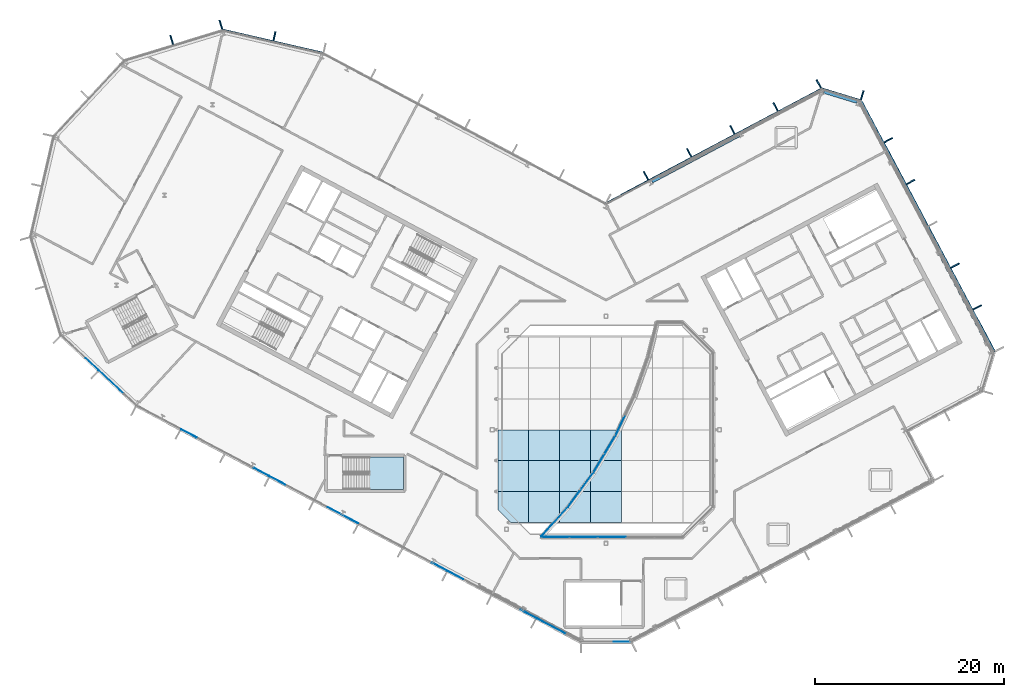
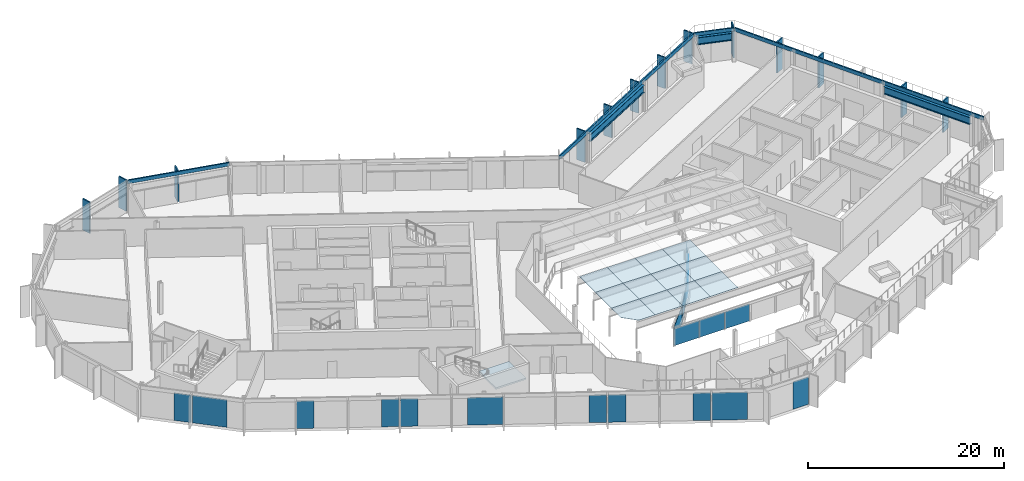
# One storey, part 19 of 35: 32 plates, 17 members, 3 beams, 1 slab, 15 elements without a shape of their own.
"""IFC4 building model written with IfcOpenShell, lengths in metres."""

from ifc_helpers import new_model, si_unit, direction, frame, origin, origin_2d, place, context, subcontext, project, spatial, polyline, rectangle, i_section, outline, extrude, material, layer, layer_set, material_profile, profile_set, type_object, element, aggregate, save


model = new_model("IFC4")

# Units and contexts
model_context = context("Model", 3, precision=1e-05, world=origin(), true_north=direction((0.0, 1.0)))
body_context = subcontext(model_context, "Body", "Model", "MODEL_VIEW")
ifc_project = project(units=[si_unit("LENGTHUNIT", "METRE"), si_unit("AREAUNIT", "SQUARE_METRE"), si_unit("VOLUMEUNIT", "CUBIC_METRE"), si_unit("PLANEANGLEUNIT", "RADIAN"), si_unit("MASSUNIT", "GRAM", prefix="KILO")], contexts=[model_context])

# Site, building, storey
site_placement = place(None, origin())
site = spatial("IfcSite", under=ifc_project, at=site_placement, CompositionType="ELEMENT")
building_placement = place(site_placement, origin())
building = spatial("IfcBuilding", under=site, at=building_placement, Name="Cormorant Relay Tower", CompositionType="ELEMENT")
storey_placement = place(building_placement, frame((0.0, 0.0, 324.300048828125)))
storey = spatial("IfcBuildingStorey", under=building, at=storey_placement, Name="L74", CompositionType="ELEMENT", Elevation=324.300048828125)

# Curtain wall, members
ifc_material_1 = material(Name="Aluminium 6063-T6 anodised bronze", Category="aluminium")
ifc_layer_1 = layer(ifc_material_1, 0.199951171875)
ifc_layer_set_1 = layer_set([ifc_layer_1], Name="CW1 unitised bronze curtain wall with vertical fins")
curtain_wall_type_1 = type_object("IfcCurtainWallType", Name="CW1 unitised bronze curtain wall with vertical fins", PredefinedType="NOTDEFINED", material=ifc_layer_set_1)
curtain_wall_1_placement = place(storey_placement, origin())
curtain_wall_1 = element("IfcCurtainWall", 1, at=curtain_wall_1_placement, inside=storey, type_object=curtain_wall_type_1, Name="CW1 curtain wall 6", PredefinedType="NOTDEFINED")
ifc_material_2 = material(Name="Aluminium 6063-T6 anodised bronze", Category="aluminium")
ifc_material_profile_1 = material_profile(ifc_material_2, rectangle(XDim=0.14990234375, YDim=1.0, at=origin_2d()), Name="AL 150x1000")
ifc_profile_set_1 = profile_set([ifc_material_profile_1], Name="Aluminium 6063-T6 anodised bronze")
member_type_1 = type_object("IfcMemberType", Name="CW1 bronze fin mullion 150 x 1000", PredefinedType="MULLION", material=ifc_profile_set_1)
member_1_placement = place(storey_placement, frame((39.222412109375, 12.927001953125, 0.0), z_axis=(0.0, 0.0, 1.0), x_axis=(-0.469471562786, 0.882947592859, 0.0)))
member_1 = element("IfcMember", 2, at=member_1_placement, type_object=member_type_1, Name="CW1 fin 6.2", PredefinedType="MULLION", context=body_context, shape_type="SweptSolid", body=[
    extrude(rectangle(XDim=0.14990234375, YDim=1.0, at=origin_2d()), origin(), (0.0, 0.0, 1.0), 3.89990234375),
])
member_2_placement = place(storey_placement, frame((36.875, 17.341552734375, 0.0), z_axis=(0.0, 0.0, 1.0), x_axis=(-0.469471562786, 0.882947592859, 0.0)))
member_2 = element("IfcMember", 3, at=member_2_placement, type_object=member_type_1, Name="CW1 fin 6.3", PredefinedType="MULLION", context=body_context, shape_type="SweptSolid", body=[
    extrude(rectangle(XDim=0.14990234375, YDim=1.0, at=origin_2d()), origin(), (0.0, 0.0, 1.0), 3.89990234375),
])
member_3_placement = place(storey_placement, frame((32.18017578125, 26.171142578125, 0.0), z_axis=(0.0, 0.0, 1.0), x_axis=(-0.469471562786, 0.882947592859, 0.0)))
member_3 = element("IfcMember", 4, at=member_3_placement, type_object=member_type_1, Name="CW1 fin 6.5", PredefinedType="MULLION", context=body_context, shape_type="SweptSolid", body=[
    extrude(rectangle(XDim=0.14990234375, YDim=1.0, at=origin_2d()), origin(), (0.0, 0.0, 1.0), 3.89990234375),
])
member_4_placement = place(storey_placement, frame((29.832763671875, 30.585693359375, 0.0), z_axis=(0.0, 0.0, 1.0), x_axis=(-0.469471562786, 0.882947592859, 0.0)))
member_4 = element("IfcMember", 5, at=member_4_placement, type_object=member_type_1, Name="CW1 fin 6.6", PredefinedType="MULLION", context=body_context, shape_type="SweptSolid", body=[
    extrude(rectangle(XDim=0.14990234375, YDim=1.0, at=origin_2d()), origin(), (0.0, 0.0, 1.0), 3.89990234375),
])

# Curtain wall, member
curtain_wall_2_placement = place(storey_placement, origin())
curtain_wall_2 = element("IfcCurtainWall", 6, at=curtain_wall_2_placement, inside=storey, type_object=curtain_wall_type_1, Name="CW1 curtain wall 7", PredefinedType="NOTDEFINED")
member_5_placement = place(storey_placement, frame((27.072021484375, 35.34130859375, 0.0), z_axis=(0.0, 0.0, 1.0), x_axis=(-0.956304755963, 0.292371704723, 0.0)))
member_5 = element("IfcMember", 7, at=member_5_placement, type_object=member_type_1, Name="CW1 fin 7.1", PredefinedType="MULLION", context=body_context, shape_type="SweptSolid", body=[
    extrude(rectangle(XDim=0.14990234375, YDim=1.0, at=origin_2d()), origin(), (0.0, 0.0, 1.0), 3.89990234375),
])

# Curtain wall, members
curtain_wall_3_placement = place(storey_placement, origin())
curtain_wall_3 = element("IfcCurtainWall", 8, at=curtain_wall_3_placement, inside=storey, type_object=curtain_wall_type_1, Name="CW1 curtain wall 8", PredefinedType="NOTDEFINED")
member_6_placement = place(storey_placement, frame((22.4814453125, 36.530517578125, 0.0), z_axis=(0.0, 0.0, 1.0), x_axis=(-0.882947592859, -0.469471562786, 0.0)))
member_6 = element("IfcMember", 9, at=member_6_placement, type_object=member_type_1, Name="CW1 fin 8.1", PredefinedType="MULLION", context=body_context, shape_type="SweptSolid", body=[
    extrude(rectangle(XDim=0.14990234375, YDim=1.0, at=origin_2d()), origin(), (0.0, 0.0, 1.0), 3.89990234375),
])
member_7_placement = place(storey_placement, frame((17.91943359375, 34.104736328125, 0.0), z_axis=(0.0, 0.0, 1.0), x_axis=(-0.882947592859, -0.469471562786, 0.0)))
member_7 = element("IfcMember", 10, at=member_7_placement, type_object=member_type_1, Name="CW1 fin 8.2", PredefinedType="MULLION", context=body_context, shape_type="SweptSolid", body=[
    extrude(rectangle(XDim=0.14990234375, YDim=1.0, at=origin_2d()), origin(), (0.0, 0.0, 1.0), 3.89990234375),
])
member_8_placement = place(storey_placement, frame((13.357421875, 31.67919921875, 0.0), z_axis=(0.0, 0.0, 1.0), x_axis=(-0.882947592859, -0.469471562786, 0.0)))
member_8 = element("IfcMember", 11, at=member_8_placement, type_object=member_type_1, Name="CW1 fin 8.3", PredefinedType="MULLION", context=body_context, shape_type="SweptSolid", body=[
    extrude(rectangle(XDim=0.14990234375, YDim=1.0, at=origin_2d()), origin(), (0.0, 0.0, 1.0), 3.89990234375),
])
member_9_placement = place(storey_placement, frame((8.79541015625, 29.25341796875, 0.0), z_axis=(0.0, 0.0, 1.0), x_axis=(-0.882947592859, -0.469471562786, 0.0)))
member_9 = element("IfcMember", 12, at=member_9_placement, type_object=member_type_1, Name="CW1 fin 8.4", PredefinedType="MULLION", context=body_context, shape_type="SweptSolid", body=[
    extrude(rectangle(XDim=0.14990234375, YDim=1.0, at=origin_2d()), origin(), (0.0, 0.0, 1.0), 3.89990234375),
])
member_10_placement = place(storey_placement, frame((4.2333984375, 26.82763671875, 0.0), z_axis=(0.0, 0.0, 1.0), x_axis=(-0.882947592859, -0.469471562786, 0.0)))
member_10 = element("IfcMember", 13, at=member_10_placement, type_object=member_type_1, Name="CW1 fin 8.5", PredefinedType="MULLION", context=body_context, shape_type="SweptSolid", body=[
    extrude(rectangle(XDim=0.14990234375, YDim=1.0, at=origin_2d()), origin(), (0.0, 0.0, 1.0), 3.89990234375),
])

# Curtain wall, member
curtain_wall_4_placement = place(storey_placement, origin())
curtain_wall_4 = element("IfcCurtainWall", 14, at=curtain_wall_4_placement, inside=storey, type_object=curtain_wall_type_1, Name="CW1 curtain wall 10", PredefinedType="NOTDEFINED")
member_11_placement = place(storey_placement, frame((-35.01220703125, 41.57275390625, 0.0), z_axis=(0.0, 0.0, 1.0), x_axis=(-0.974370064785, 0.224951054344, 0.0)))
member_11 = element("IfcMember", 15, at=member_11_placement, type_object=member_type_1, Name="CW1 fin 10.2", PredefinedType="MULLION", context=body_context, shape_type="SweptSolid", body=[
    extrude(rectangle(XDim=0.14990234375, YDim=1.0, at=origin_2d()), origin(), (0.0, 0.0, 1.0), 3.89990234375),
])

# Curtain wall, members
curtain_wall_5_placement = place(storey_placement, origin())
curtain_wall_5 = element("IfcCurtainWall", 16, at=curtain_wall_5_placement, inside=storey, type_object=curtain_wall_type_1, Name="CW1 curtain wall 11", PredefinedType="NOTDEFINED")
member_12_placement = place(storey_placement, frame((-40.670166015625, 42.78271484375, 0.0), z_axis=(0.0, 0.0, 1.0), x_axis=(-0.956304755963, -0.292371704723, 0.0)))
member_12 = element("IfcMember", 17, at=member_12_placement, type_object=member_type_1, Name="CW1 fin 11.1", PredefinedType="MULLION", context=body_context, shape_type="SweptSolid", body=[
    extrude(rectangle(XDim=0.14990234375, YDim=1.0, at=origin_2d()), origin(), (0.0, 0.0, 1.0), 3.89990234375),
])
member_13_placement = place(storey_placement, frame((-45.867919921875, 41.193603515625, 0.0), z_axis=(0.0, 0.0, 1.0), x_axis=(-0.956304755963, -0.292371704723, 0.0)))
member_13 = element("IfcMember", 18, at=member_13_placement, type_object=member_type_1, Name="CW1 fin 11.2", PredefinedType="MULLION", context=body_context, shape_type="SweptSolid", body=[
    extrude(rectangle(XDim=0.14990234375, YDim=1.0, at=origin_2d()), origin(), (0.0, 0.0, 1.0), 3.89990234375),
])
aggregate(curtain_wall_5, [member_12, member_13])

# Member
ifc_material_3 = material(Name="Aluminium 6063-T6 anodised bronze", Category="aluminium")
ifc_material_profile_2 = material_profile(ifc_material_3, rectangle(XDim=0.159912109375, YDim=0.449951171875, at=origin_2d()), Name="AL 160x450")
ifc_profile_set_2 = profile_set([ifc_material_profile_2], Name="Aluminium 6063-T6 anodised bronze")
member_type_2 = type_object("IfcMemberType", Name="CW1 bronze transom 160 x 450", PredefinedType="USERDEFINED", material=ifc_profile_set_2)
member_14_placement = place(storey_placement, frame((41.0576171875, 8.23974609375, 3.675048828125), z_axis=(-0.469472335483, 0.882947182008, 0.0), x_axis=(-0.882947182008, -0.469472335483, 0.0)))
member_14 = element("IfcMember", 19, at=member_14_placement, type_object=member_type_2, Name="CW1 transom 6", ObjectType="TRANSOM", PredefinedType="USERDEFINED", context=body_context, shape_type="SweptSolid", body=[
    extrude(rectangle(XDim=0.159912109375, YDim=0.449951171875, at=origin_2d()), origin(), (0.0, 0.0, 1.0), 30.000244140625),
])

aggregate(curtain_wall_1, [member_1, member_2, member_3, member_4, member_14])

member_15_placement = place(storey_placement, frame((26.902587890625, 34.78662109375, 3.675048828125), z_axis=(-0.956303761594, 0.292374957137, 0.0), x_axis=(-0.292374957137, -0.956303761594, 0.0)))
member_15 = element("IfcMember", 20, at=member_15_placement, type_object=member_type_2, Name="CW1 transom 7", ObjectType="TRANSOM", PredefinedType="USERDEFINED", context=body_context, shape_type="SweptSolid", body=[
    extrude(rectangle(XDim=0.159912109375, YDim=0.449951171875, at=origin_2d()), origin(), (0.0, 0.0, 1.0), 4.24267578125),
])

aggregate(curtain_wall_2, [member_5, member_15])

member_16_placement = place(storey_placement, frame((22.75390625, 36.018310546875, 3.675048828125), z_axis=(-0.882948156597, -0.469470502547, 0.0), x_axis=(0.469470502547, -0.882948156597, 0.0)))
member_16 = element("IfcMember", 21, at=member_16_placement, type_object=member_type_2, Name="CW1 transom 8", ObjectType="TRANSOM", PredefinedType="USERDEFINED", context=body_context, shape_type="SweptSolid", body=[
    extrude(rectangle(XDim=0.159912109375, YDim=0.449951171875, at=origin_2d()), origin(), (0.0, 0.0, 1.0), 25.834228515625),
])

aggregate(curtain_wall_3, [member_6, member_7, member_8, member_9, member_10, member_16])

member_17_placement = place(storey_placement, frame((-29.8466796875, 39.784912109375, 3.675048828125), z_axis=(-0.974365070969, 0.224972683844, 0.0), x_axis=(-0.224972683844, -0.974365070969, 0.0)))
member_17 = element("IfcMember", 22, at=member_17_placement, type_object=member_type_2, Name="CW1 transom 10", ObjectType="TRANSOM", PredefinedType="USERDEFINED", context=body_context, shape_type="SweptSolid", body=[
    extrude(rectangle(XDim=0.159912109375, YDim=0.449951171875, at=origin_2d()), origin(), (0.0, 0.0, 1.0), 10.870361328125),
])

aggregate(curtain_wall_4, [member_11, member_17])

# Beams
ifc_material_4 = material(Name="Steel ASTM A992 (Fy 345 MPa)", Category="steel")
ifc_material_profile_3 = material_profile(ifc_material_4, i_section(OverallWidth=0.307373046875, OverallDepth=0.927001953125, WebThickness=0.019287109375, FlangeThickness=0.031982421875, FilletRadius=0.01904296875, at=origin_2d()), Name="W920x289")
ifc_profile_set_3 = profile_set([ifc_material_profile_3], Name="Steel ASTM A992 (Fy 345 MPa)")
beam_type = type_object("IfcBeamType", Name="Spandrel W920x289", PredefinedType="SPANDREL", material=ifc_profile_set_3)
beam_1_placement = place(storey_placement, frame((40.1591796875, 9.3466796875, 3.0361328125), z_axis=(-0.469474391681, 0.882946088703, 0.0), x_axis=(-0.882946088703, -0.469474391681, 0.0)))
element("IfcBeam", 23, at=beam_1_placement, inside=storey, type_object=beam_type, Name="Spandrel beam L74-006", PredefinedType="SPANDREL", context=body_context, shape_type="SweptSolid", body=[
    extrude(i_section(OverallWidth=0.307373046875, OverallDepth=0.927001953125, WebThickness=0.019287109375, FlangeThickness=0.031982421875, FilletRadius=0.01904296875, at=origin_2d()), origin(), (0.0, 0.0, 1.0), 10.401611328125),
])
beam_2_placement = place(storey_placement, frame((26.512451171875, 34.619873046875, 3.0361328125), z_axis=(-0.956313678807, 0.292342517821, 0.0), x_axis=(-0.292342517821, -0.956313678807, 0.0)))
element("IfcBeam", 24, at=beam_2_placement, inside=storey, type_object=beam_type, Name="Spandrel beam L74-007", PredefinedType="SPANDREL", context=body_context, shape_type="SweptSolid", body=[
    extrude(i_section(OverallWidth=0.307373046875, OverallDepth=0.927001953125, WebThickness=0.019287109375, FlangeThickness=0.031982421875, FilletRadius=0.01904296875, at=origin_2d()), origin(), (0.0, 0.0, 1.0), 3.65185546875),
])
beam_3_placement = place(storey_placement, frame((14.05322265625, 31.082275390625, 3.0361328125), z_axis=(-0.882950644937, -0.469465822617, 0.0), x_axis=(0.469465822617, -0.882950644937, 0.0)))
element("IfcBeam", 25, at=beam_3_placement, inside=storey, type_object=beam_type, Name="Spandrel beam L74-008", PredefinedType="SPANDREL", context=body_context, shape_type="SweptSolid", body=[
    extrude(i_section(OverallWidth=0.307373046875, OverallDepth=0.927001953125, WebThickness=0.019287109375, FlangeThickness=0.031982421875, FilletRadius=0.01904296875, at=origin_2d()), origin(), (0.0, 0.0, 1.0), 10.4013671875),
])

# Curtain wall, plate
curtain_wall_6_placement = place(storey_placement, origin())
curtain_wall_6 = element("IfcCurtainWall", 26, at=curtain_wall_6_placement, inside=storey, type_object=curtain_wall_type_1, Name="CW1 curtain wall 1", PredefinedType="NOTDEFINED")
ifc_material_5 = material(Name="Tinted laminated glass", Category="glass")
ifc_layer_2 = layer(ifc_material_5, 0.0400390625)
ifc_layer_set_2 = layer_set([ifc_layer_2], Name="CW1 tinted vision panel 1800 module")
plate_type_1 = type_object("IfcPlateType", Name="CW1 tinted vision panel 1800 module", PredefinedType="CURTAIN_PANEL", material=ifc_layer_set_2)
plate_1_placement = place(storey_placement, frame((1.748779296875, -22.3955078125, 0.0), z_axis=(0.0, 0.0, 1.0), x_axis=(1.0, 0.0, 0.0)))
plate_1 = element("IfcPlate", 27, at=plate_1_placement, type_object=plate_type_1, Name="CW1 panel V01", PredefinedType="CURTAIN_PANEL", context=body_context, shape_type="SweptSolid", body=[
    extrude(rectangle(XDim=1.800048828125, YDim=0.0400390625, at=origin_2d()), origin(), (0.0, 0.0, 1.0), 3.449951171875),
])
aggregate(curtain_wall_6, [plate_1])

curtain_wall_7_placement = place(storey_placement, origin())
curtain_wall_7 = element("IfcCurtainWall", 28, at=curtain_wall_7_placement, inside=storey, type_object=curtain_wall_type_1, Name="CW1 curtain wall 15", PredefinedType="NOTDEFINED")
plate_2_placement = place(storey_placement, frame((-54.293212890625, 6.94140625, 0.0), z_axis=(0.0, 0.0, 1.0), x_axis=(0.731353701619, -0.681998360062, 0.0)))
plate_2 = element("IfcPlate", 29, at=plate_2_placement, type_object=plate_type_1, Name="CW1 panel V01", PredefinedType="CURTAIN_PANEL", context=body_context, shape_type="SweptSolid", body=[
    extrude(rectangle(XDim=1.800048828125, YDim=0.0400390625, at=origin_2d()), origin(), (0.0, 0.0, 1.0), 3.449951171875),
])

# Curtain wall, plates
curtain_wall_8_placement = place(storey_placement, origin())
curtain_wall_8 = element("IfcCurtainWall", 30, at=curtain_wall_8_placement, inside=storey, type_object=curtain_wall_type_1, Name="CW1 curtain wall 16", PredefinedType="NOTDEFINED")
plate_3_placement = place(storey_placement, frame((-44.0458984375, -0.38720703125, 0.0), z_axis=(0.0, 0.0, 1.0), x_axis=(0.882947592859, -0.469471562786, 0.0)))
plate_3 = element("IfcPlate", 31, at=plate_3_placement, type_object=plate_type_1, Name="CW1 panel V01", PredefinedType="CURTAIN_PANEL", context=body_context, shape_type="SweptSolid", body=[
    extrude(rectangle(XDim=1.800048828125, YDim=0.0400390625, at=origin_2d()), origin(), (0.0, 0.0, 1.0), 3.449951171875),
])
plate_4_placement = place(storey_placement, frame((-36.37890625, -4.463623046875, 0.0), z_axis=(0.0, 0.0, 1.0), x_axis=(0.882947592859, -0.469471562786, 0.0)))
plate_4 = element("IfcPlate", 32, at=plate_4_placement, type_object=plate_type_1, Name="CW1 panel V03", PredefinedType="CURTAIN_PANEL", context=body_context, shape_type="SweptSolid", body=[
    extrude(rectangle(XDim=1.800048828125, YDim=0.0400390625, at=origin_2d()), origin(), (0.0, 0.0, 1.0), 3.449951171875),
])
plate_5_placement = place(storey_placement, frame((-34.6572265625, -5.37890625, 0.0), z_axis=(0.0, 0.0, 1.0), x_axis=(0.882947592859, -0.469471562786, 0.0)))
plate_5 = element("IfcPlate", 33, at=plate_5_placement, type_object=plate_type_1, Name="CW1 panel V04", PredefinedType="CURTAIN_PANEL", context=body_context, shape_type="SweptSolid", body=[
    extrude(rectangle(XDim=1.800048828125, YDim=0.0400390625, at=origin_2d()), origin(), (0.0, 0.0, 1.0), 3.449951171875),
])
plate_6_placement = place(storey_placement, frame((-17.601806640625, -14.447509765625, 0.0), z_axis=(0.0, 0.0, 1.0), x_axis=(0.882947592859, -0.469471562786, 0.0)))
plate_6 = element("IfcPlate", 34, at=plate_6_placement, type_object=plate_type_1, Name="CW1 panel V08", PredefinedType="CURTAIN_PANEL", context=body_context, shape_type="SweptSolid", body=[
    extrude(rectangle(XDim=1.800048828125, YDim=0.0400390625, at=origin_2d()), origin(), (0.0, 0.0, 1.0), 3.449951171875),
])
plate_7_placement = place(storey_placement, frame((-15.880126953125, -15.363037109375, 0.0), z_axis=(0.0, 0.0, 1.0), x_axis=(0.882947592859, -0.469471562786, 0.0)))
plate_7 = element("IfcPlate", 35, at=plate_7_placement, type_object=plate_type_1, Name="CW1 panel V09", PredefinedType="CURTAIN_PANEL", context=body_context, shape_type="SweptSolid", body=[
    extrude(rectangle(XDim=1.800048828125, YDim=0.0400390625, at=origin_2d()), origin(), (0.0, 0.0, 1.0), 3.449951171875),
])
plate_8_placement = place(storey_placement, frame((-8.21337890625, -19.439453125, 0.0), z_axis=(0.0, 0.0, 1.0), x_axis=(0.882947592859, -0.469471562786, 0.0)))
plate_8 = element("IfcPlate", 36, at=plate_8_placement, type_object=plate_type_1, Name="CW1 panel V11", PredefinedType="CURTAIN_PANEL", context=body_context, shape_type="SweptSolid", body=[
    extrude(rectangle(XDim=1.800048828125, YDim=0.0400390625, at=origin_2d()), origin(), (0.0, 0.0, 1.0), 3.449951171875),
])

# Plate
ifc_material_6 = material(Name="Tinted laminated glass", Category="glass")
ifc_layer_3 = layer(ifc_material_6, 0.0400390625)
ifc_layer_set_3 = layer_set([ifc_layer_3], Name="CW1 tinted vision panel 3600 module")
plate_type_2 = type_object("IfcPlateType", Name="CW1 tinted vision panel 3600 module", PredefinedType="CURTAIN_PANEL", material=ifc_layer_set_3)
plate_9_placement = place(storey_placement, frame((-52.208984375, 4.997802734375, 0.0), z_axis=(0.0, 0.0, 1.0), x_axis=(0.731353701619, -0.681998360062, 0.0)))
plate_9 = element("IfcPlate", 37, at=plate_9_placement, type_object=plate_type_2, Name="CW1 panel V02", PredefinedType="CURTAIN_PANEL", context=body_context, shape_type="SweptSolid", body=[
    extrude(rectangle(XDim=3.60009765625, YDim=0.0400390625, at=origin_2d()), origin(), (0.0, 0.0, 1.0), 3.449951171875),
])

aggregate(curtain_wall_7, [plate_2, plate_9])

plate_10_placement = place(storey_placement, frame((-27.78515625, -9.032958984375, 0.0), z_axis=(0.0, 0.0, 1.0), x_axis=(0.882947592859, -0.469471562786, 0.0)))
plate_10 = element("IfcPlate", 38, at=plate_10_placement, type_object=plate_type_2, Name="CW1 panel V06", PredefinedType="CURTAIN_PANEL", context=body_context, shape_type="SweptSolid", body=[
    extrude(rectangle(XDim=3.60009765625, YDim=0.0400390625, at=origin_2d()), origin(), (0.0, 0.0, 1.0), 3.449951171875),
])

plate_11_placement = place(storey_placement, frame((-5.697021484375, -20.777587890625, 0.0), z_axis=(0.0, 0.0, 1.0), x_axis=(0.882947592859, -0.469471562786, 0.0)))
plate_11 = element("IfcPlate", 39, at=plate_11_placement, type_object=plate_type_2, Name="CW1 panel V12", PredefinedType="CURTAIN_PANEL", context=body_context, shape_type="SweptSolid", body=[
    extrude(rectangle(XDim=3.60009765625, YDim=0.0400390625, at=origin_2d()), origin(), (0.0, 0.0, 1.0), 3.449951171875),
])

aggregate(curtain_wall_8, [plate_3, plate_4, plate_5, plate_10, plate_6, plate_7, plate_8, plate_11])

# Curtain wall, plate
ifc_material_7 = material(Name="Aluminium 6063-T6 anodised bronze", Category="aluminium")
ifc_layer_4 = layer(ifc_material_7, 0.199951171875)
ifc_layer_set_4 = layer_set([ifc_layer_4], Name="CW5 atrium lantern curtain wall")
curtain_wall_type_2 = type_object("IfcCurtainWallType", Name="CW5 atrium lantern curtain wall", PredefinedType="NOTDEFINED", material=ifc_layer_set_4)
curtain_wall_9_placement = place(storey_placement, origin())
curtain_wall_9 = element("IfcCurtainWall", 40, at=curtain_wall_9_placement, inside=storey, type_object=curtain_wall_type_2, Name="CW5 atrium lantern wall 3", PredefinedType="NOTDEFINED")
ifc_material_8 = material(Name="Clear laminated glass", Category="glass")
ifc_layer_5 = layer(ifc_material_8, 0.0400390625)
ifc_layer_set_5 = layer_set([ifc_layer_5], Name="CW5 clear laminated glass panel 40")
plate_type_3 = type_object("IfcPlateType", Name="CW5 clear laminated glass panel 40", PredefinedType="CURTAIN_PANEL", material=ifc_layer_set_5)
plate_12_placement = place(storey_placement, frame((1.47900390625, 0.380859375, 3.89990234375), z_axis=(0.0, 0.0, 1.0), x_axis=(-0.42755509343, -0.903989293123, 0.0)))
plate_12 = element("IfcPlate", 41, at=plate_12_placement, type_object=plate_type_3, Name="CW5 panel 3.2", PredefinedType="CURTAIN_PANEL", context=body_context, shape_type="SweptSolid", body=[
    extrude(rectangle(XDim=2.206787109375, YDim=0.0400390625, at=origin_2d()), origin(), (0.0, 0.0, 1.0), 2.14990234375),
])
aggregate(curtain_wall_9, [plate_12])

# Curtain wall, plates
curtain_wall_10_placement = place(storey_placement, origin())
curtain_wall_10 = element("IfcCurtainWall", 42, at=curtain_wall_10_placement, inside=storey, type_object=curtain_wall_type_2, Name="CW5 atrium lantern wall 4", PredefinedType="NOTDEFINED")
plate_13_placement = place(storey_placement, frame((0.41259765625, -1.6142578125, 3.89990234375), z_axis=(0.0, 0.0, 1.0), x_axis=(-0.514102744193, -0.85772861, 0.0)))
plate_13 = element("IfcPlate", 43, at=plate_13_placement, type_object=plate_type_3, Name="CW5 panel 4.1", PredefinedType="CURTAIN_PANEL", context=body_context, shape_type="SweptSolid", body=[
    extrude(rectangle(XDim=2.206787109375, YDim=0.0400390625, at=origin_2d()), origin(), (0.0, 0.0, 1.0), 2.14990234375),
])
plate_14_placement = place(storey_placement, frame((-0.7529296875, -3.558837890625, 3.89990234375), z_axis=(0.0, 0.0, 1.0), x_axis=(-0.514102744193, -0.85772861, 0.0)))
plate_14 = element("IfcPlate", 44, at=plate_14_placement, type_object=plate_type_3, Name="CW5 panel 4.2", PredefinedType="CURTAIN_PANEL", context=body_context, shape_type="SweptSolid", body=[
    extrude(rectangle(XDim=2.206787109375, YDim=0.0400390625, at=origin_2d()), origin(), (0.0, 0.0, 1.0), 2.14990234375),
])
aggregate(curtain_wall_10, [plate_13, plate_14])

curtain_wall_11_placement = place(storey_placement, origin())
curtain_wall_11 = element("IfcCurtainWall", 45, at=curtain_wall_11_placement, inside=storey, type_object=curtain_wall_type_2, Name="CW5 atrium lantern wall 5", PredefinedType="NOTDEFINED")
plate_15_placement = place(storey_placement, frame((-2.009765625, -5.439697265625, 3.89990234375), z_axis=(0.0, 0.0, 1.0), x_axis=(-0.595699304492, -0.803207531481, 0.0)))
plate_15 = element("IfcPlate", 46, at=plate_15_placement, type_object=plate_type_3, Name="CW5 panel 5.1", PredefinedType="CURTAIN_PANEL", context=body_context, shape_type="SweptSolid", body=[
    extrude(rectangle(XDim=2.206787109375, YDim=0.0400390625, at=origin_2d()), origin(), (0.0, 0.0, 1.0), 2.14990234375),
])
plate_16_placement = place(storey_placement, frame((-3.360107421875, -7.260498046875, 3.89990234375), z_axis=(0.0, 0.0, 1.0), x_axis=(-0.595699304492, -0.803207531481, 0.0)))
plate_16 = element("IfcPlate", 47, at=plate_16_placement, type_object=plate_type_3, Name="CW5 panel 5.2", PredefinedType="CURTAIN_PANEL", context=body_context, shape_type="SweptSolid", body=[
    extrude(rectangle(XDim=2.206787109375, YDim=0.0400390625, at=origin_2d()), origin(), (0.0, 0.0, 1.0), 2.14990234375),
])
aggregate(curtain_wall_11, [plate_15, plate_16])

# Curtain wall, plate
curtain_wall_12_placement = place(storey_placement, origin())
curtain_wall_12 = element("IfcCurtainWall", 48, at=curtain_wall_12_placement, inside=storey, type_object=curtain_wall_type_2, Name="CW5 atrium lantern wall 6", PredefinedType="NOTDEFINED")
plate_17_placement = place(storey_placement, frame((-5.44677734375, -9.72802734375, 3.89990234375), z_axis=(0.0, 0.0, 1.0), x_axis=(-0.671558954847, -0.740951125355, 0.0)))
plate_17 = element("IfcPlate", 49, at=plate_17_placement, type_object=plate_type_3, Name="CW5 panel 6.1", PredefinedType="CURTAIN_PANEL", context=body_context, shape_type="SweptSolid", body=[
    extrude(rectangle(XDim=4.14697265625, YDim=0.0400390625, at=origin_2d()), origin(), (0.0, 0.0, 1.0), 2.14990234375),
])
aggregate(curtain_wall_12, [plate_17])

# Curtain wall, plates
curtain_wall_13_placement = place(storey_placement, origin())
curtain_wall_13 = element("IfcCurtainWall", 50, at=curtain_wall_13_placement, inside=storey, type_object=curtain_wall_type_2, Name="CW5 atrium lantern wall 7", PredefinedType="NOTDEFINED")
plate_18_placement = place(storey_placement, frame((-5.34765625, -11.320068359375, 3.89990234375), z_axis=(0.0, 0.0, 1.0), x_axis=(1.0, 0.0, 0.0)))
plate_18 = element("IfcPlate", 51, at=plate_18_placement, type_object=plate_type_3, Name="CW5 panel 7.1", PredefinedType="CURTAIN_PANEL", context=body_context, shape_type="SweptSolid", body=[
    extrude(rectangle(XDim=2.933837890625, YDim=0.0400390625, at=origin_2d()), origin(), (0.0, 0.0, 1.0), 2.14990234375),
])
plate_19_placement = place(storey_placement, frame((-2.35400390625, -11.320068359375, 3.89990234375), z_axis=(0.0, 0.0, 1.0), x_axis=(1.0, 0.0, 0.0)))
plate_19 = element("IfcPlate", 52, at=plate_19_placement, type_object=plate_type_3, Name="CW5 panel 7.2", PredefinedType="CURTAIN_PANEL", context=body_context, shape_type="SweptSolid", body=[
    extrude(rectangle(XDim=2.933837890625, YDim=0.0400390625, at=origin_2d()), origin(), (0.0, 0.0, 1.0), 2.14990234375),
])
plate_20_placement = place(storey_placement, frame((0.639892578125, -11.320068359375, 3.89990234375), z_axis=(0.0, 0.0, 1.0), x_axis=(1.0, 0.0, 0.0)))
plate_20 = element("IfcPlate", 53, at=plate_20_placement, type_object=plate_type_3, Name="CW5 panel 7.3", PredefinedType="CURTAIN_PANEL", context=body_context, shape_type="SweptSolid", body=[
    extrude(rectangle(XDim=2.933837890625, YDim=0.0400390625, at=origin_2d()), origin(), (0.0, 0.0, 1.0), 2.14990234375),
])
aggregate(curtain_wall_13, [plate_18, plate_19, plate_20])

curtain_wall_14_placement = place(storey_placement, origin())
curtain_wall_14 = element("IfcCurtainWall", 54, at=curtain_wall_14_placement, inside=storey, type_object=curtain_wall_type_2, Name="CW5 atrium lantern roof", PredefinedType="NOTDEFINED")
ifc_material_9 = material(Name="Clear laminated glass", Category="glass")
ifc_layer_6 = layer(ifc_material_9, 0.0400390625)
ifc_layer_set_6 = layer_set([ifc_layer_6], Name="CW5 roof glass panel 40")
plate_type_4 = type_object("IfcPlateType", Name="CW5 roof glass panel 40", PredefinedType="CURTAIN_PANEL", material=ifc_layer_set_6)
plate_21_placement = place(storey_placement, frame((-11.419921875, -6.525634765625, 7.2900390625), z_axis=(0.0, 0.0, 1.0), x_axis=(0.0, -1.0, 0.0)))
plate_21 = element("IfcPlate", 55, at=plate_21_placement, type_object=plate_type_4, Name="CW5 roof panel 1", PredefinedType="CURTAIN_PANEL", context=body_context, shape_type="SweptSolid", body=[
    extrude(outline(polyline([(0.0, 0.0), (1.894287109375, 0.0), (3.262939453125, 1.368408203125), (3.262939453125, 3.262939453125), (0.0, 3.262939453125), (0.0, 0.0)])), origin(), (0.0, 0.0, -1.0), 0.0400390625),
])
plate_22_placement = place(storey_placement, frame((-4.894287109375, -9.78857421875, 7.2900390625), z_axis=(0.0, 0.0, 1.0), x_axis=(0.0, 1.0, 0.0)))
plate_22 = element("IfcPlate", 56, at=plate_22_placement, type_object=plate_type_4, Name="CW5 roof panel 2", PredefinedType="CURTAIN_PANEL", context=body_context, shape_type="SweptSolid", body=[
    extrude(outline(polyline([(0.0, 0.0), (3.262939453125, 0.0), (3.262939453125, 3.2626953125), (0.0, 3.2626953125), (0.0, 0.0)])), origin(), (0.0, 0.0, -1.0), 0.0400390625),
])
plate_23_placement = place(storey_placement, frame((-1.63134765625, -9.78857421875, 7.2900390625), z_axis=(0.0, 0.0, 1.0), x_axis=(0.0, 1.0, 0.0)))
plate_23 = element("IfcPlate", 57, at=plate_23_placement, type_object=plate_type_4, Name="CW5 roof panel 3", PredefinedType="CURTAIN_PANEL", context=body_context, shape_type="SweptSolid", body=[
    extrude(outline(polyline([(0.0, 0.0), (3.262939453125, 0.0), (3.262939453125, 3.262939453125), (0.0, 3.262939453125), (0.0, 0.0)])), origin(), (0.0, 0.0, -1.0), 0.0400390625),
])
plate_24_placement = place(storey_placement, frame((1.63134765625, -9.78857421875, 7.2900390625), z_axis=(0.0, 0.0, 1.0), x_axis=(0.0, 1.0, 0.0)))
plate_24 = element("IfcPlate", 58, at=plate_24_placement, type_object=plate_type_4, Name="CW5 roof panel 4", PredefinedType="CURTAIN_PANEL", context=body_context, shape_type="SweptSolid", body=[
    extrude(outline(polyline([(0.0, 0.0), (3.262939453125, 0.0), (3.262939453125, 3.2626953125), (0.0, 3.2626953125), (0.0, 0.0)])), origin(), (0.0, 0.0, -1.0), 0.0400390625),
])
plate_25_placement = place(storey_placement, frame((-11.419921875, -3.262939453125, 7.2900390625), z_axis=(0.0, 0.0, 1.0), x_axis=(0.0, -1.0, 0.0)))
plate_25 = element("IfcPlate", 59, at=plate_25_placement, type_object=plate_type_4, Name="CW5 roof panel 8", PredefinedType="CURTAIN_PANEL", context=body_context, shape_type="SweptSolid", body=[
    extrude(outline(polyline([(0.0, 0.0), (3.2626953125, 0.0), (3.2626953125, 3.262939453125), (0.0, 3.262939453125), (0.0, 0.0)])), origin(), (0.0, 0.0, -1.0), 0.0400390625),
])
plate_26_placement = place(storey_placement, frame((-4.894287109375, -6.525634765625, 7.2900390625), z_axis=(0.0, 0.0, 1.0), x_axis=(0.0, 1.0, 0.0)))
plate_26 = element("IfcPlate", 60, at=plate_26_placement, type_object=plate_type_4, Name="CW5 roof panel 9", PredefinedType="CURTAIN_PANEL", context=body_context, shape_type="SweptSolid", body=[
    extrude(outline(polyline([(0.0, 0.0), (3.2626953125, 0.0), (3.2626953125, 3.2626953125), (0.0, 3.2626953125), (0.0, 0.0)])), origin(), (0.0, 0.0, -1.0), 0.0400390625),
])
plate_27_placement = place(storey_placement, frame((-1.63134765625, -6.525634765625, 7.2900390625), z_axis=(0.0, 0.0, 1.0), x_axis=(0.0, 1.0, 0.0)))
plate_27 = element("IfcPlate", 61, at=plate_27_placement, type_object=plate_type_4, Name="CW5 roof panel 10", PredefinedType="CURTAIN_PANEL", context=body_context, shape_type="SweptSolid", body=[
    extrude(outline(polyline([(0.0, 0.0), (3.2626953125, 0.0), (3.2626953125, 3.262939453125), (0.0, 3.262939453125), (0.0, 0.0)])), origin(), (0.0, 0.0, -1.0), 0.0400390625),
])
plate_28_placement = place(storey_placement, frame((1.63134765625, -6.525634765625, 7.2900390625), z_axis=(0.0, 0.0, 1.0), x_axis=(0.0, 1.0, 0.0)))
plate_28 = element("IfcPlate", 62, at=plate_28_placement, type_object=plate_type_4, Name="CW5 roof panel 11", PredefinedType="CURTAIN_PANEL", context=body_context, shape_type="SweptSolid", body=[
    extrude(outline(polyline([(0.0, 0.0), (3.2626953125, 0.0), (3.2626953125, 3.2626953125), (0.0, 3.2626953125), (0.0, 0.0)])), origin(), (0.0, 0.0, -1.0), 0.0400390625),
])
plate_29_placement = place(storey_placement, frame((-11.419921875, 0.0, 7.2900390625), z_axis=(0.0, 0.0, 1.0), x_axis=(0.0, -1.0, 0.0)))
plate_29 = element("IfcPlate", 63, at=plate_29_placement, type_object=plate_type_4, Name="CW5 roof panel 15", PredefinedType="CURTAIN_PANEL", context=body_context, shape_type="SweptSolid", body=[
    extrude(outline(polyline([(0.0, 0.0), (3.262939453125, 0.0), (3.262939453125, 3.262939453125), (0.0, 3.262939453125), (0.0, 0.0)])), origin(), (0.0, 0.0, -1.0), 0.0400390625),
])
plate_30_placement = place(storey_placement, frame((-4.894287109375, -3.262939453125, 7.2900390625), z_axis=(0.0, 0.0, 1.0), x_axis=(0.0, 1.0, 0.0)))
plate_30 = element("IfcPlate", 64, at=plate_30_placement, type_object=plate_type_4, Name="CW5 roof panel 16", PredefinedType="CURTAIN_PANEL", context=body_context, shape_type="SweptSolid", body=[
    extrude(outline(polyline([(0.0, 0.0), (3.262939453125, 0.0), (3.262939453125, 3.2626953125), (0.0, 3.2626953125), (0.0, 0.0)])), origin(), (0.0, 0.0, -1.0), 0.0400390625),
])
plate_31_placement = place(storey_placement, frame((-1.63134765625, -3.262939453125, 7.2900390625), z_axis=(0.0, 0.0, 1.0), x_axis=(0.0, 1.0, 0.0)))
plate_31 = element("IfcPlate", 65, at=plate_31_placement, type_object=plate_type_4, Name="CW5 roof panel 17", PredefinedType="CURTAIN_PANEL", context=body_context, shape_type="SweptSolid", body=[
    extrude(outline(polyline([(0.0, 0.0), (3.262939453125, 0.0), (3.262939453125, 3.262939453125), (0.0, 3.262939453125), (0.0, 0.0)])), origin(), (0.0, 0.0, -1.0), 0.0400390625),
])
plate_32_placement = place(storey_placement, frame((1.63134765625, -3.262939453125, 7.2900390625), z_axis=(0.0, 0.0, 1.0), x_axis=(0.0, 1.0, 0.0)))
plate_32 = element("IfcPlate", 66, at=plate_32_placement, type_object=plate_type_4, Name="CW5 roof panel 18", PredefinedType="CURTAIN_PANEL", context=body_context, shape_type="SweptSolid", body=[
    extrude(outline(polyline([(0.0, 0.0), (3.262939453125, 0.0), (3.262939453125, 3.2626953125), (0.0, 3.2626953125), (0.0, 0.0)])), origin(), (0.0, 0.0, -1.0), 0.0400390625),
])
aggregate(curtain_wall_14, [plate_21, plate_22, plate_23, plate_24, plate_25, plate_26, plate_27, plate_28, plate_29, plate_30, plate_31, plate_32])

# Stair, slab
ifc_material_10 = material(Name="Concrete 40 MPa", Category="concrete")
stair_type = type_object("IfcStairType", Name="Exit stair 1500", PredefinedType="HALF_TURN_STAIR", material=ifc_material_10)
stair_placement = place(storey_placement, origin())
stair = element("IfcStair", 67, at=stair_placement, inside=storey, type_object=stair_type, Name="L74 Stair", PredefinedType="HALF_TURN_STAIR")
ifc_material_11 = material(Name="Concrete 40 MPa", Category="concrete")
ifc_layer_7 = layer(ifc_material_11, 0.199951171875)
ifc_layer_set_7 = layer_set([ifc_layer_7], Name="Exit stair landing 200")
slab_type = type_object("IfcSlabType", Name="Exit stair landing 200", PredefinedType="LANDING", material=ifc_layer_set_7)
slab_placement = place(storey_placement, frame((0.0, 0.0, 1.75)))
slab = element("IfcSlab", 68, at=slab_placement, type_object=slab_type, Name="RC1 landing 1", PredefinedType="LANDING", context=body_context, shape_type="SweptSolid", body=[
    extrude(outline(polyline([(-24.949951171875, -6.324951171875), (-21.39990234375, -6.324951171875), (-21.39990234375, -2.875), (-24.949951171875, -2.875), (-24.949951171875, -6.324951171875)])), origin(), (0.0, 0.0, 1.0), 0.199951171875),
])
aggregate(stair, [slab])

save(model, "model.ifc")
